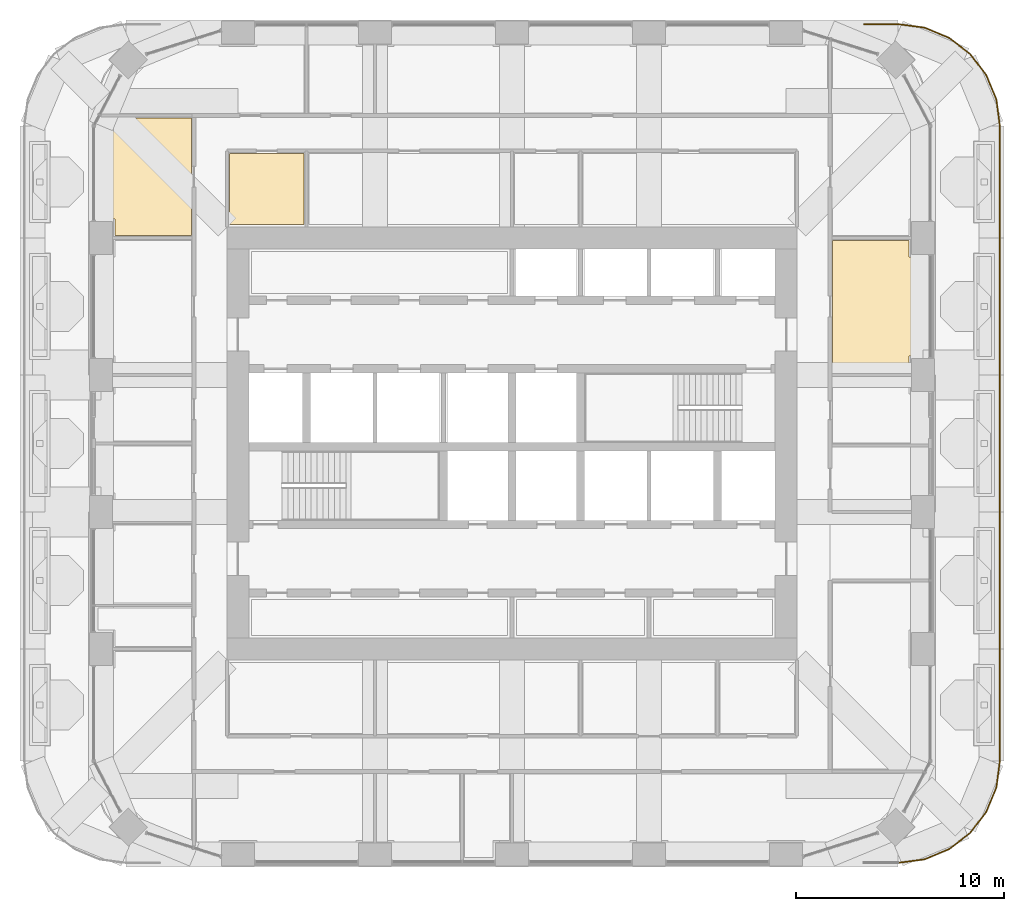
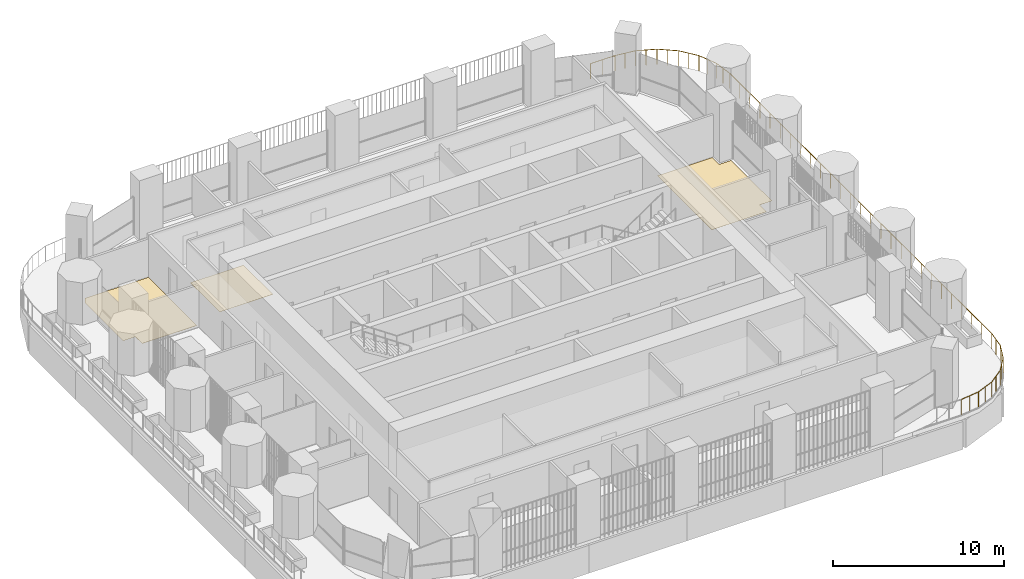
# One storey, part 22 of 24: 3 coverings, 1 railing.
"""IFC4 building model written with IfcOpenShell, lengths in metres."""

import ifcopenshell
import ifcopenshell.guid

model = None  # the IFC model being written
_history = None  # IfcOwnerHistory: only IFC2X3 demands one
_inside = {}  # id of a spatial element -> (the spatial element, [elements in it])
_under = {}  # id of a project, library or spatial element -> (it, [spatial elements below it])
_declared = {}  # id of a project -> (the project, [libraries it declares])
_typed = {}  # id of a type object -> (the type object, [elements of that type])
_made_of = {}  # id of a material, layer set ... -> (it, [elements and type objects made of it])


def new_model(schema):
    """Start an empty IFC model of exactly this schema.

    Asked for "IFC4X3", IfcOpenShell would pick the latest addendum, in which some entities
    have other attributes; the version numbers below select the first issue.
    IFC2X3 requires an IfcOwnerHistory on every rooted entity: one is made here for all.
    """
    global model, _history
    if schema == "IFC4X3":
        model = ifcopenshell.file(schema_version=(4, 3, 0, 0))
    else:
        model = ifcopenshell.file(schema=schema)
    _inside.clear()
    _under.clear()
    _declared.clear()
    _typed.clear()
    _made_of.clear()
    _history = None
    if model.schema == "IFC2X3":
        org = make("IfcOrganization", Name="unknown")
        user = make(
            "IfcPersonAndOrganization",
            ThePerson=make("IfcPerson", FamilyName="unknown"),
            TheOrganization=org,
        )
        app = make(
            "IfcApplication",
            ApplicationDeveloper=org,
            Version="unknown",
            ApplicationFullName="unknown",
            ApplicationIdentifier="unknown",
        )
        _history = make(
            "IfcOwnerHistory",
            OwningUser=user,
            OwningApplication=app,
            ChangeAction="ADDED",
            CreationDate=0,
        )
    return model


def make(cls, **values):
    """One entity of the class cls with the attributes given. An attribute that is None is left unset."""
    return model.create_entity(
        cls, **{name: value for name, value in values.items() if value is not None}
    )


def rooted(cls, **values):
    """An entity with a GlobalId (a new one), such as an element, a storey or a relation."""
    return make(cls, GlobalId=ifcopenshell.guid.new(), OwnerHistory=_history, **values)


def si_unit(unit_type, name, prefix=None):
    """IfcSIUnit, for example si_unit("LENGTHUNIT", "METRE", prefix="MILLI")."""
    return make("IfcSIUnit", UnitType=unit_type, Prefix=prefix, Name=name)


def assignment(units):
    """IfcUnitAssignment: the units of a project."""
    return None if units is None else make("IfcUnitAssignment", Units=units)


def point(xyz):
    """IfcCartesianPoint."""
    return None if xyz is None else make("IfcCartesianPoint", Coordinates=xyz)


def direction(xyz):
    """IfcDirection."""
    return None if xyz is None else make("IfcDirection", DirectionRatios=xyz)


def frame(location, z_axis=None, x_axis=None):
    """IfcAxis2Placement3D, a coordinate frame: its origin and axes. An axis left out is left unset."""
    return make(
        "IfcAxis2Placement3D",
        Location=point(location),
        Axis=direction(z_axis),
        RefDirection=direction(x_axis),
    )


def origin():
    """The frame at (0, 0, 0) with its axes left unset."""
    return frame((0.0, 0.0, 0.0))


def place(relative_to, where):
    """IfcLocalPlacement: puts the frame where relative to a parent placement (None: the world)."""
    return make(
        "IfcLocalPlacement", PlacementRelTo=relative_to, RelativePlacement=where
    )


def context(
    kind, dimensions, precision=None, world=None, true_north=None, identifier=None
):
    """IfcGeometricRepresentationContext, for example the 3D "Model" context."""
    return make(
        "IfcGeometricRepresentationContext",
        ContextIdentifier=identifier,
        ContextType=kind,
        CoordinateSpaceDimension=dimensions,
        Precision=precision,
        WorldCoordinateSystem=world,
        TrueNorth=true_north,
    )


def subcontext(parent, identifier, kind, view, scale=None):
    """IfcGeometricRepresentationSubContext, for example "Body" below "Model"."""
    return make(
        "IfcGeometricRepresentationSubContext",
        ContextIdentifier=identifier,
        ContextType=kind,
        ParentContext=parent,
        TargetScale=scale,
        TargetView=view,
    )


def project(units=None, contexts=None):
    """IfcProject with its units and contexts."""
    return rooted(
        "IfcProject",
        Name="project",
        RepresentationContexts=contexts,
        UnitsInContext=assignment(units),
    )


def spatial(cls, under=None, at=None, **own):
    """A site, building, storey or space (cls), placed at a placement, below another one or the project."""
    s = rooted(cls, ObjectPlacement=at, **own)
    if under is not None:
        _under.setdefault(under.id(), (under, []))[1].append(s)
    return s


def polyline(points):
    """IfcPolyline through the points."""
    return make("IfcPolyline", Points=[point(p) for p in points])


def outline(outer, holes=None, kind="AREA"):
    """IfcArbitraryClosedProfileDef: a profile drawn as a closed curve; with holes, ...WithVoids."""
    if holes is None:
        return make("IfcArbitraryClosedProfileDef", ProfileType=kind, OuterCurve=outer)
    return make(
        "IfcArbitraryProfileDefWithVoids",
        ProfileType=kind,
        OuterCurve=outer,
        InnerCurves=holes,
    )


def extrude(swept, where, along, depth):
    """IfcExtrudedAreaSolid: the profile swept, set in the frame where, extruded along a direction by depth."""
    return make(
        "IfcExtrudedAreaSolid",
        SweptArea=swept,
        Position=where,
        ExtrudedDirection=direction(along),
        Depth=depth,
    )


def shape(context_of_items, identifier, shape_type, items):
    """IfcShapeRepresentation: the items that make up one representation, for example the "Body"."""
    return make(
        "IfcShapeRepresentation",
        ContextOfItems=context_of_items,
        RepresentationIdentifier=identifier,
        RepresentationType=shape_type,
        Items=items,
    )


def material(Name=None, Category=None):
    """IfcMaterial."""
    return make("IfcMaterial", Name=Name, Category=Category)


def layer(
    of_material, thickness, ventilated=None, Name=None, Category=None, Priority=None
):
    """IfcMaterialLayer: one layer of a wall or slab, of a material (None: an air gap)."""
    return make(
        "IfcMaterialLayer",
        Material=of_material,
        LayerThickness=thickness,
        IsVentilated=ventilated,
        Name=Name,
        Category=Category,
        Priority=Priority,
    )


def layer_set(layers, Name=None):
    """IfcMaterialLayerSet."""
    return make("IfcMaterialLayerSet", MaterialLayers=layers, LayerSetName=Name)


def made_of(thing, what):
    """Note that an element or type object is made of a material, layer set ...; save() writes the relation."""
    if what is not None:
        _made_of.setdefault(what.id(), (what, []))[1].append(thing)
    return thing


def type_object(cls, material=None, **own):
    """A type object (cls), such as IfcWallType, which elements share."""
    return made_of(rooted(cls, **own), material)


def element(
    cls,
    number,
    at=None,
    inside=None,
    cuts=None,
    type_object=None,
    material=None,
    context=None,
    identifier="Body",
    shape_type=None,
    held_by="IfcProductDefinitionShape",
    body=None,
    shapes=None,
    **own,
):
    """One element of the class cls, such as IfcWall. Its Tag is "e" and its number.

    at: its placement. inside: the storey or other place that contains it. cuts: it is an
    opening in that element (IfcRelVoidsElement). A single representation is given by context,
    identifier, shape_type and body (its items); several are given by shapes. held_by: the class
    of the entity that holds the representations. save() writes the other relations.
    """
    e = rooted(cls, Tag="e%d" % number, ObjectPlacement=at, **own)
    if body is not None:
        shapes = [shape(context, identifier, shape_type, body)]
    if shapes is not None:
        e.Representation = make(held_by, Representations=shapes)
    if inside is not None:
        _inside.setdefault(inside.id(), (inside, []))[1].append(e)
    if cuts is not None:
        rooted(
            "IfcRelVoidsElement", RelatingBuildingElement=cuts, RelatedOpeningElement=e
        )
    if type_object is not None:
        _typed.setdefault(type_object.id(), (type_object, []))[1].append(e)
    return made_of(e, material)


def aggregate(whole, parts):
    """IfcRelAggregates: a whole, such as a stair, and the parts it consists of."""
    return rooted("IfcRelAggregates", RelatingObject=whole, RelatedObjects=parts)


def save(model, path):
    """Write the relations noted so far, then the file.

    IfcRelAggregates (storeys below a building ...), IfcRelContainedInSpatialStructure (elements
    in a storey), IfcRelDefinesByType, IfcRelAssociatesMaterial and IfcRelDeclares: one each for
    every whole, place, type object, material and project.
    """
    for whole, parts in _under.values():
        aggregate(whole, parts)
    for where, things in _inside.values():
        rooted(
            "IfcRelContainedInSpatialStructure",
            RelatedElements=things,
            RelatingStructure=where,
        )
    for kind, things in _typed.values():
        rooted("IfcRelDefinesByType", RelatedObjects=things, RelatingType=kind)
    for what, things in _made_of.values():
        rooted("IfcRelAssociatesMaterial", RelatedObjects=things, RelatingMaterial=what)
    for by, libraries in _declared.values():
        rooted("IfcRelDeclares", RelatingContext=by, RelatedDefinitions=libraries)
    model.write(path)


model = new_model("IFC4")

# Units and contexts
model_context = context("Model", 3, precision=1e-05, world=origin(), true_north=direction((0.0, 1.0)))
body_context = subcontext(model_context, "Body", "Model", "MODEL_VIEW")
ifc_project = project(units=[si_unit("LENGTHUNIT", "METRE"), si_unit("AREAUNIT", "SQUARE_METRE"), si_unit("VOLUMEUNIT", "CUBIC_METRE"), si_unit("PLANEANGLEUNIT", "RADIAN"), si_unit("MASSUNIT", "GRAM", prefix="KILO")], contexts=[model_context])

# Site, building, storey
site_placement = place(None, origin())
site = spatial("IfcSite", under=ifc_project, at=site_placement, CompositionType="ELEMENT")
building_placement = place(site_placement, origin())
building = spatial("IfcBuilding", under=site, at=building_placement, Name="Cobogo Forest Laboratory Tower", CompositionType="ELEMENT")
storey_placement = place(building_placement, frame((0.0, 0.0, 229.199951171875)))
storey = spatial("IfcBuildingStorey", under=building, at=storey_placement, Name="L52", CompositionType="ELEMENT", Elevation=229.199951171875)

# Railing
ifc_material_1 = material(Name="Laminated glass balustrade", Category="glass")
railing_type = type_object("IfcRailingType", Name="BG1 glass balustrade 1100", PredefinedType="GUARDRAIL", material=ifc_material_1)
railing_placement = place(storey_placement, frame((44.996826171875, 2.89990234375, 0.06005859375)))
element("IfcRailing", 1, at=railing_placement, inside=storey, type_object=railing_type, Name="Terrace balustrade TER-E L52", PredefinedType="GUARDRAIL", context=body_context, shape_type="SweptSolid", body=[
    extrude(outline(polyline([(0.022216796875, 0.00927734375), (0.00927734375, 0.022216796875), (-0.00927734375, 0.022216796875), (-0.022216796875, 0.00927734375), (-0.022216796875, -0.00927734375), (-0.00927734375, -0.022216796875), (0.00927734375, -0.022216796875), (0.022216796875, -0.00927734375), (0.022216796875, 0.00927734375)])), frame((0.0, 0.0, 1.077880859375), z_axis=(0.991432895809, 0.130617047537, 0.0), x_axis=(-0.130617047537, 0.991432895809, 0.0)), (0.0, 0.0, 1.0), 1.2822265625),
    extrude(outline(polyline([(0.022216796875, 0.00927734375), (0.00927734375, 0.022216796875), (-0.00927734375, 0.022216796875), (-0.022216796875, 0.00927734375), (-0.022216796875, -0.00927734375), (-0.00927734375, -0.022216796875), (0.00927734375, -0.022216796875), (0.022216796875, -0.00927734375), (0.022216796875, 0.00927734375)])), frame((1.271240234375, 0.16748046875, 1.077880859375), z_axis=(0.923865605463, 0.382717053503, 0.0), x_axis=(-0.382717053503, 0.923865605463, 0.0)), (0.0, 0.0, 1.0), 1.279052734375),
    extrude(outline(polyline([(0.022216796875, 0.00927734375), (0.00927734375, 0.022216796875), (-0.00927734375, 0.022216796875), (-0.022216796875, 0.00927734375), (-0.022216796875, -0.00927734375), (-0.00927734375, -0.022216796875), (0.00927734375, -0.022216796875), (0.022216796875, -0.00927734375), (0.022216796875, 0.00927734375)])), frame((2.452880859375, 0.656982421875, 1.077880859375), z_axis=(0.793425077956, 0.608667927256, 0.0), x_axis=(-0.608667927256, 0.793425077956, 0.0)), (0.0, 0.0, 1.0), 1.279052734375),
    extrude(outline(polyline([(0.022216796875, 0.00927734375), (0.00927734375, 0.022216796875), (-0.00927734375, 0.022216796875), (-0.022216796875, 0.00927734375), (-0.022216796875, -0.00927734375), (-0.00927734375, -0.022216796875), (0.00927734375, -0.022216796875), (0.022216796875, -0.00927734375), (0.022216796875, 0.00927734375)])), frame((3.4677734375, 1.435546875, 1.077880859375), z_axis=(0.608760111915, 0.793354350931, 0.0), x_axis=(-0.793354350931, 0.608760111915, 0.0)), (0.0, 0.0, 1.0), 1.279052734375),
    extrude(outline(polyline([(0.022216796875, 0.00927734375), (0.00927734375, 0.022216796875), (-0.00927734375, 0.022216796875), (-0.022216796875, 0.00927734375), (-0.022216796875, -0.00927734375), (-0.00927734375, -0.022216796875), (0.00927734375, -0.022216796875), (0.022216796875, -0.00927734375), (0.022216796875, 0.00927734375)])), frame((4.246337890625, 2.4501953125, 1.077880859375), z_axis=(0.382649572731, 0.923893556904, 0.0), x_axis=(-0.923893556904, 0.382649572731, 0.0)), (0.0, 0.0, 1.0), 1.279296875),
    extrude(outline(polyline([(0.022216796875, 0.00927734375), (0.00927734375, 0.022216796875), (-0.00927734375, 0.022216796875), (-0.022216796875, 0.00927734375), (-0.022216796875, -0.00927734375), (-0.00927734375, -0.022216796875), (0.00927734375, -0.022216796875), (0.022216796875, -0.00927734375), (0.022216796875, 0.00927734375)])), frame((4.73583984375, 3.632080078125, 1.077880859375), z_axis=(0.130429885144, 0.991457535682, 0.0), x_axis=(-0.991457535682, 0.130429885144, 0.0)), (0.0, 0.0, 1.0), 1.2822265625),
    extrude(outline(polyline([(0.022216796875, 0.00927734375), (0.00927734375, 0.022216796875), (-0.00927734375, 0.022216796875), (-0.022216796875, 0.00927734375), (-0.022216796875, -0.00927734375), (-0.00927734375, -0.022216796875), (0.00927734375, -0.022216796875), (0.022216796875, -0.00927734375), (0.022216796875, 0.00927734375)])), frame((4.903076171875, 4.9033203125, 1.077880859375), z_axis=(0.0, 1.0, 0.0), x_axis=(-1.0, 0.0, 0.0)), (0.0, 0.0, 1.0), 30.593505859375),
    extrude(outline(polyline([(0.022216796875, 0.00927734375), (0.00927734375, 0.022216796875), (-0.00927734375, 0.022216796875), (-0.022216796875, 0.00927734375), (-0.022216796875, -0.00927734375), (-0.00927734375, -0.022216796875), (0.00927734375, -0.022216796875), (0.022216796875, -0.00927734375), (0.022216796875, 0.00927734375)])), frame((4.903076171875, 35.496826171875, 1.077880859375), z_axis=(-0.130405266932, 0.991460773988, 0.0), x_axis=(-0.991460773988, -0.130405266932, 0.0)), (0.0, 0.0, 1.0), 1.282470703125),
    extrude(outline(polyline([(0.022216796875, 0.00927734375), (0.00927734375, 0.022216796875), (-0.00927734375, 0.022216796875), (-0.022216796875, 0.00927734375), (-0.022216796875, -0.00927734375), (-0.00927734375, -0.022216796875), (0.00927734375, -0.022216796875), (0.022216796875, -0.00927734375), (0.022216796875, 0.00927734375)])), frame((4.73583984375, 36.768310546875, 1.077880859375), z_axis=(-0.382717053503, 0.923865605463, 0.0), x_axis=(-0.923865605463, -0.382717053503, 0.0)), (0.0, 0.0, 1.0), 1.279052734375),
    extrude(outline(polyline([(0.022216796875, 0.00927734375), (0.00927734375, 0.022216796875), (-0.00927734375, 0.022216796875), (-0.022216796875, 0.00927734375), (-0.022216796875, -0.00927734375), (-0.00927734375, -0.022216796875), (0.00927734375, -0.022216796875), (0.022216796875, -0.00927734375), (0.022216796875, 0.00927734375)])), frame((4.246337890625, 37.949951171875, 1.077880859375), z_axis=(-0.608760111915, 0.793354350931, 0.0), x_axis=(-0.793354350931, -0.608760111915, 0.0)), (0.0, 0.0, 1.0), 1.279052734375),
    extrude(outline(polyline([(0.022216796875, 0.00927734375), (0.00927734375, 0.022216796875), (-0.00927734375, 0.022216796875), (-0.022216796875, 0.00927734375), (-0.022216796875, -0.00927734375), (-0.00927734375, -0.022216796875), (0.00927734375, -0.022216796875), (0.022216796875, -0.00927734375), (0.022216796875, 0.00927734375)])), frame((3.4677734375, 38.964599609375, 1.077880859375), z_axis=(-0.793425077956, 0.608667927256, 0.0), x_axis=(-0.608667927256, -0.793425077956, 0.0)), (0.0, 0.0, 1.0), 1.279052734375),
    extrude(outline(polyline([(0.022216796875, 0.00927734375), (0.00927734375, 0.022216796875), (-0.00927734375, 0.022216796875), (-0.022216796875, 0.00927734375), (-0.022216796875, -0.00927734375), (-0.00927734375, -0.022216796875), (0.00927734375, -0.022216796875), (0.022216796875, -0.00927734375), (0.022216796875, 0.00927734375)])), frame((2.452880859375, 39.7431640625, 1.077880859375), z_axis=(-0.923865605463, 0.382717053503, 0.0), x_axis=(-0.382717053503, -0.923865605463, 0.0)), (0.0, 0.0, 1.0), 1.279052734375),
    extrude(outline(polyline([(0.022216796875, 0.00927734375), (0.00927734375, 0.022216796875), (-0.00927734375, 0.022216796875), (-0.022216796875, 0.00927734375), (-0.022216796875, -0.00927734375), (-0.00927734375, -0.022216796875), (0.00927734375, -0.022216796875), (0.022216796875, -0.00927734375), (0.022216796875, 0.00927734375)])), frame((1.271240234375, 40.232666015625, 1.077880859375), z_axis=(-0.991432895809, 0.130617047537, 0.0), x_axis=(-0.130617047537, -0.991432895809, 0.0)), (0.0, 0.0, 1.0), 1.2822265625),
    extrude(outline(polyline([(0.022216796875, 0.00927734375), (0.00927734375, 0.022216796875), (-0.00927734375, 0.022216796875), (-0.022216796875, 0.00927734375), (-0.022216796875, -0.00927734375), (-0.00927734375, -0.022216796875), (0.00927734375, -0.022216796875), (0.022216796875, -0.00927734375), (0.022216796875, 0.00927734375)])), frame((0.0, 40.400146484375, 1.077880859375), z_axis=(-1.0, 0.0, 0.0), x_axis=(0.0, -1.0, 0.0)), (0.0, 0.0, 1.0), 1.638916015625),
    extrude(outline(polyline([(0.019287109375, 0.008056640625), (0.008056640625, 0.019287109375), (-0.008056640625, 0.019287109375), (-0.019287109375, 0.008056640625), (-0.019287109375, -0.008056640625), (-0.008056640625, -0.019287109375), (0.008056640625, -0.019287109375), (0.019287109375, -0.008056640625), (0.019287109375, 0.008056640625)])), origin(), (0.0, 0.0, 1.0), 1.077880859375),
    extrude(outline(polyline([(0.019287109375, 0.008056640625), (0.008056640625, 0.019287109375), (-0.008056640625, 0.019287109375), (-0.019287109375, 0.008056640625), (-0.019287109375, -0.008056640625), (-0.008056640625, -0.019287109375), (0.008056640625, -0.019287109375), (0.019287109375, -0.008056640625), (0.019287109375, 0.008056640625)])), frame((0.6357421875, 0.083740234375, 0.0)), (0.0, 0.0, 1.0), 1.077880859375),
    extrude(outline(polyline([(0.019287109375, 0.008056640625), (0.008056640625, 0.019287109375), (-0.008056640625, 0.019287109375), (-0.019287109375, 0.008056640625), (-0.019287109375, -0.008056640625), (-0.008056640625, -0.019287109375), (0.008056640625, -0.019287109375), (0.019287109375, -0.008056640625), (0.019287109375, 0.008056640625)])), frame((1.271240234375, 0.16748046875, 0.0)), (0.0, 0.0, 1.0), 1.077880859375),
    extrude(outline(polyline([(0.019287109375, 0.008056640625), (0.008056640625, 0.019287109375), (-0.008056640625, 0.019287109375), (-0.019287109375, 0.008056640625), (-0.019287109375, -0.008056640625), (-0.008056640625, -0.019287109375), (0.008056640625, -0.019287109375), (0.019287109375, -0.008056640625), (0.019287109375, 0.008056640625)])), frame((1.862060546875, 0.412109375, 0.0)), (0.0, 0.0, 1.0), 1.077880859375),
    extrude(outline(polyline([(0.019287109375, 0.008056640625), (0.008056640625, 0.019287109375), (-0.008056640625, 0.019287109375), (-0.019287109375, 0.008056640625), (-0.019287109375, -0.008056640625), (-0.008056640625, -0.019287109375), (0.008056640625, -0.019287109375), (0.019287109375, -0.008056640625), (0.019287109375, 0.008056640625)])), frame((2.452880859375, 0.656982421875, 0.0)), (0.0, 0.0, 1.0), 1.077880859375),
    extrude(outline(polyline([(0.019287109375, 0.008056640625), (0.008056640625, 0.019287109375), (-0.008056640625, 0.019287109375), (-0.019287109375, 0.008056640625), (-0.019287109375, -0.008056640625), (-0.008056640625, -0.019287109375), (0.008056640625, -0.019287109375), (0.019287109375, -0.008056640625), (0.019287109375, 0.008056640625)])), frame((2.96044921875, 1.04638671875, 0.0)), (0.0, 0.0, 1.0), 1.077880859375),
    extrude(outline(polyline([(0.019287109375, 0.008056640625), (0.008056640625, 0.019287109375), (-0.008056640625, 0.019287109375), (-0.019287109375, 0.008056640625), (-0.019287109375, -0.008056640625), (-0.008056640625, -0.019287109375), (0.008056640625, -0.019287109375), (0.019287109375, -0.008056640625), (0.019287109375, 0.008056640625)])), frame((3.4677734375, 1.435546875, 0.0)), (0.0, 0.0, 1.0), 1.077880859375),
    extrude(outline(polyline([(0.019287109375, 0.008056640625), (0.008056640625, 0.019287109375), (-0.008056640625, 0.019287109375), (-0.019287109375, 0.008056640625), (-0.019287109375, -0.008056640625), (-0.008056640625, -0.019287109375), (0.008056640625, -0.019287109375), (0.019287109375, -0.008056640625), (0.019287109375, 0.008056640625)])), frame((3.85693359375, 1.94287109375, 0.0)), (0.0, 0.0, 1.0), 1.077880859375),
    extrude(outline(polyline([(0.019287109375, 0.008056640625), (0.008056640625, 0.019287109375), (-0.008056640625, 0.019287109375), (-0.019287109375, 0.008056640625), (-0.019287109375, -0.008056640625), (-0.008056640625, -0.019287109375), (0.008056640625, -0.019287109375), (0.019287109375, -0.008056640625), (0.019287109375, 0.008056640625)])), frame((4.246337890625, 2.4501953125, 0.0)), (0.0, 0.0, 1.0), 1.077880859375),
    extrude(outline(polyline([(0.019287109375, 0.008056640625), (0.008056640625, 0.019287109375), (-0.008056640625, 0.019287109375), (-0.019287109375, 0.008056640625), (-0.019287109375, -0.008056640625), (-0.008056640625, -0.019287109375), (0.008056640625, -0.019287109375), (0.019287109375, -0.008056640625), (0.019287109375, 0.008056640625)])), frame((4.4912109375, 3.041015625, 0.0)), (0.0, 0.0, 1.0), 1.077880859375),
    extrude(outline(polyline([(0.019287109375, 0.008056640625), (0.008056640625, 0.019287109375), (-0.008056640625, 0.019287109375), (-0.019287109375, 0.008056640625), (-0.019287109375, -0.008056640625), (-0.008056640625, -0.019287109375), (0.008056640625, -0.019287109375), (0.019287109375, -0.008056640625), (0.019287109375, 0.008056640625)])), frame((4.73583984375, 3.632080078125, 0.0)), (0.0, 0.0, 1.0), 1.077880859375),
    extrude(outline(polyline([(0.019287109375, 0.008056640625), (0.008056640625, 0.019287109375), (-0.008056640625, 0.019287109375), (-0.019287109375, 0.008056640625), (-0.019287109375, -0.008056640625), (-0.008056640625, -0.019287109375), (0.008056640625, -0.019287109375), (0.019287109375, -0.008056640625), (0.019287109375, 0.008056640625)])), frame((4.8193359375, 4.267578125, 0.0)), (0.0, 0.0, 1.0), 1.077880859375),
    extrude(outline(polyline([(0.019287109375, 0.008056640625), (0.008056640625, 0.019287109375), (-0.008056640625, 0.019287109375), (-0.019287109375, 0.008056640625), (-0.019287109375, -0.008056640625), (-0.008056640625, -0.019287109375), (0.008056640625, -0.019287109375), (0.019287109375, -0.008056640625), (0.019287109375, 0.008056640625)])), frame((4.903076171875, 4.9033203125, 0.0)), (0.0, 0.0, 1.0), 1.077880859375),
    extrude(outline(polyline([(0.019287109375, 0.008056640625), (0.008056640625, 0.019287109375), (-0.008056640625, 0.019287109375), (-0.019287109375, 0.008056640625), (-0.019287109375, -0.008056640625), (-0.008056640625, -0.019287109375), (0.008056640625, -0.019287109375), (0.019287109375, -0.008056640625), (0.019287109375, 0.008056640625)])), frame((4.903076171875, 6.080078125, 0.0)), (0.0, 0.0, 1.0), 1.077880859375),
    extrude(outline(polyline([(0.019287109375, 0.008056640625), (0.008056640625, 0.019287109375), (-0.008056640625, 0.019287109375), (-0.019287109375, 0.008056640625), (-0.019287109375, -0.008056640625), (-0.008056640625, -0.019287109375), (0.008056640625, -0.019287109375), (0.019287109375, -0.008056640625), (0.019287109375, 0.008056640625)])), frame((4.903076171875, 7.256591796875, 0.0)), (0.0, 0.0, 1.0), 1.077880859375),
    extrude(outline(polyline([(0.019287109375, 0.008056640625), (0.008056640625, 0.019287109375), (-0.008056640625, 0.019287109375), (-0.019287109375, 0.008056640625), (-0.019287109375, -0.008056640625), (-0.008056640625, -0.019287109375), (0.008056640625, -0.019287109375), (0.019287109375, -0.008056640625), (0.019287109375, 0.008056640625)])), frame((4.903076171875, 8.433349609375, 0.0)), (0.0, 0.0, 1.0), 1.077880859375),
    extrude(outline(polyline([(0.019287109375, 0.008056640625), (0.008056640625, 0.019287109375), (-0.008056640625, 0.019287109375), (-0.019287109375, 0.008056640625), (-0.019287109375, -0.008056640625), (-0.008056640625, -0.019287109375), (0.008056640625, -0.019287109375), (0.019287109375, -0.008056640625), (0.019287109375, 0.008056640625)])), frame((4.903076171875, 9.610107421875, 0.0)), (0.0, 0.0, 1.0), 1.077880859375),
    extrude(outline(polyline([(0.019287109375, 0.008056640625), (0.008056640625, 0.019287109375), (-0.008056640625, 0.019287109375), (-0.019287109375, 0.008056640625), (-0.019287109375, -0.008056640625), (-0.008056640625, -0.019287109375), (0.008056640625, -0.019287109375), (0.019287109375, -0.008056640625), (0.019287109375, 0.008056640625)])), frame((4.903076171875, 10.78662109375, 0.0)), (0.0, 0.0, 1.0), 1.077880859375),
    extrude(outline(polyline([(0.019287109375, 0.008056640625), (0.008056640625, 0.019287109375), (-0.008056640625, 0.019287109375), (-0.019287109375, 0.008056640625), (-0.019287109375, -0.008056640625), (-0.008056640625, -0.019287109375), (0.008056640625, -0.019287109375), (0.019287109375, -0.008056640625), (0.019287109375, 0.008056640625)])), frame((4.903076171875, 11.96337890625, 0.0)), (0.0, 0.0, 1.0), 1.077880859375),
    extrude(outline(polyline([(0.019287109375, 0.008056640625), (0.008056640625, 0.019287109375), (-0.008056640625, 0.019287109375), (-0.019287109375, 0.008056640625), (-0.019287109375, -0.008056640625), (-0.008056640625, -0.019287109375), (0.008056640625, -0.019287109375), (0.019287109375, -0.008056640625), (0.019287109375, 0.008056640625)])), frame((4.903076171875, 13.14013671875, 0.0)), (0.0, 0.0, 1.0), 1.077880859375),
    extrude(outline(polyline([(0.019287109375, 0.008056640625), (0.008056640625, 0.019287109375), (-0.008056640625, 0.019287109375), (-0.019287109375, 0.008056640625), (-0.019287109375, -0.008056640625), (-0.008056640625, -0.019287109375), (0.008056640625, -0.019287109375), (0.019287109375, -0.008056640625), (0.019287109375, 0.008056640625)])), frame((4.903076171875, 14.316650390625, 0.0)), (0.0, 0.0, 1.0), 1.077880859375),
    extrude(outline(polyline([(0.019287109375, 0.008056640625), (0.008056640625, 0.019287109375), (-0.008056640625, 0.019287109375), (-0.019287109375, 0.008056640625), (-0.019287109375, -0.008056640625), (-0.008056640625, -0.019287109375), (0.008056640625, -0.019287109375), (0.019287109375, -0.008056640625), (0.019287109375, 0.008056640625)])), frame((4.903076171875, 15.493408203125, 0.0)), (0.0, 0.0, 1.0), 1.077880859375),
    extrude(outline(polyline([(0.019287109375, 0.008056640625), (0.008056640625, 0.019287109375), (-0.008056640625, 0.019287109375), (-0.019287109375, 0.008056640625), (-0.019287109375, -0.008056640625), (-0.008056640625, -0.019287109375), (0.008056640625, -0.019287109375), (0.019287109375, -0.008056640625), (0.019287109375, 0.008056640625)])), frame((4.903076171875, 16.670166015625, 0.0)), (0.0, 0.0, 1.0), 1.077880859375),
    extrude(outline(polyline([(0.019287109375, 0.008056640625), (0.008056640625, 0.019287109375), (-0.008056640625, 0.019287109375), (-0.019287109375, 0.008056640625), (-0.019287109375, -0.008056640625), (-0.008056640625, -0.019287109375), (0.008056640625, -0.019287109375), (0.019287109375, -0.008056640625), (0.019287109375, 0.008056640625)])), frame((4.903076171875, 17.8466796875, 0.0)), (0.0, 0.0, 1.0), 1.077880859375),
    extrude(outline(polyline([(0.019287109375, 0.008056640625), (0.008056640625, 0.019287109375), (-0.008056640625, 0.019287109375), (-0.019287109375, 0.008056640625), (-0.019287109375, -0.008056640625), (-0.008056640625, -0.019287109375), (0.008056640625, -0.019287109375), (0.019287109375, -0.008056640625), (0.019287109375, 0.008056640625)])), frame((4.903076171875, 19.0234375, 0.0)), (0.0, 0.0, 1.0), 1.077880859375),
    extrude(outline(polyline([(0.019287109375, 0.008056640625), (0.008056640625, 0.019287109375), (-0.008056640625, 0.019287109375), (-0.019287109375, 0.008056640625), (-0.019287109375, -0.008056640625), (-0.008056640625, -0.019287109375), (0.008056640625, -0.019287109375), (0.019287109375, -0.008056640625), (0.019287109375, 0.008056640625)])), frame((4.903076171875, 20.2001953125, 0.0)), (0.0, 0.0, 1.0), 1.077880859375),
    extrude(outline(polyline([(0.019287109375, 0.008056640625), (0.008056640625, 0.019287109375), (-0.008056640625, 0.019287109375), (-0.019287109375, 0.008056640625), (-0.019287109375, -0.008056640625), (-0.008056640625, -0.019287109375), (0.008056640625, -0.019287109375), (0.019287109375, -0.008056640625), (0.019287109375, 0.008056640625)])), frame((4.903076171875, 21.376708984375, 0.0)), (0.0, 0.0, 1.0), 1.077880859375),
    extrude(outline(polyline([(0.019287109375, 0.008056640625), (0.008056640625, 0.019287109375), (-0.008056640625, 0.019287109375), (-0.019287109375, 0.008056640625), (-0.019287109375, -0.008056640625), (-0.008056640625, -0.019287109375), (0.008056640625, -0.019287109375), (0.019287109375, -0.008056640625), (0.019287109375, 0.008056640625)])), frame((4.903076171875, 22.553466796875, 0.0)), (0.0, 0.0, 1.0), 1.077880859375),
    extrude(outline(polyline([(0.019287109375, 0.008056640625), (0.008056640625, 0.019287109375), (-0.008056640625, 0.019287109375), (-0.019287109375, 0.008056640625), (-0.019287109375, -0.008056640625), (-0.008056640625, -0.019287109375), (0.008056640625, -0.019287109375), (0.019287109375, -0.008056640625), (0.019287109375, 0.008056640625)])), frame((4.903076171875, 23.72998046875, 0.0)), (0.0, 0.0, 1.0), 1.077880859375),
    extrude(outline(polyline([(0.019287109375, 0.008056640625), (0.008056640625, 0.019287109375), (-0.008056640625, 0.019287109375), (-0.019287109375, 0.008056640625), (-0.019287109375, -0.008056640625), (-0.008056640625, -0.019287109375), (0.008056640625, -0.019287109375), (0.019287109375, -0.008056640625), (0.019287109375, 0.008056640625)])), frame((4.903076171875, 24.90673828125, 0.0)), (0.0, 0.0, 1.0), 1.077880859375),
    extrude(outline(polyline([(0.019287109375, 0.008056640625), (0.008056640625, 0.019287109375), (-0.008056640625, 0.019287109375), (-0.019287109375, 0.008056640625), (-0.019287109375, -0.008056640625), (-0.008056640625, -0.019287109375), (0.008056640625, -0.019287109375), (0.019287109375, -0.008056640625), (0.019287109375, 0.008056640625)])), frame((4.903076171875, 26.08349609375, 0.0)), (0.0, 0.0, 1.0), 1.077880859375),
    extrude(outline(polyline([(0.019287109375, 0.008056640625), (0.008056640625, 0.019287109375), (-0.008056640625, 0.019287109375), (-0.019287109375, 0.008056640625), (-0.019287109375, -0.008056640625), (-0.008056640625, -0.019287109375), (0.008056640625, -0.019287109375), (0.019287109375, -0.008056640625), (0.019287109375, 0.008056640625)])), frame((4.903076171875, 27.260009765625, 0.0)), (0.0, 0.0, 1.0), 1.077880859375),
    extrude(outline(polyline([(0.019287109375, 0.008056640625), (0.008056640625, 0.019287109375), (-0.008056640625, 0.019287109375), (-0.019287109375, 0.008056640625), (-0.019287109375, -0.008056640625), (-0.008056640625, -0.019287109375), (0.008056640625, -0.019287109375), (0.019287109375, -0.008056640625), (0.019287109375, 0.008056640625)])), frame((4.903076171875, 28.436767578125, 0.0)), (0.0, 0.0, 1.0), 1.077880859375),
    extrude(outline(polyline([(0.019287109375, 0.008056640625), (0.008056640625, 0.019287109375), (-0.008056640625, 0.019287109375), (-0.019287109375, 0.008056640625), (-0.019287109375, -0.008056640625), (-0.008056640625, -0.019287109375), (0.008056640625, -0.019287109375), (0.019287109375, -0.008056640625), (0.019287109375, 0.008056640625)])), frame((4.903076171875, 29.613525390625, 0.0)), (0.0, 0.0, 1.0), 1.077880859375),
    extrude(outline(polyline([(0.019287109375, 0.008056640625), (0.008056640625, 0.019287109375), (-0.008056640625, 0.019287109375), (-0.019287109375, 0.008056640625), (-0.019287109375, -0.008056640625), (-0.008056640625, -0.019287109375), (0.008056640625, -0.019287109375), (0.019287109375, -0.008056640625), (0.019287109375, 0.008056640625)])), frame((4.903076171875, 30.7900390625, 0.0)), (0.0, 0.0, 1.0), 1.077880859375),
    extrude(outline(polyline([(0.019287109375, 0.008056640625), (0.008056640625, 0.019287109375), (-0.008056640625, 0.019287109375), (-0.019287109375, 0.008056640625), (-0.019287109375, -0.008056640625), (-0.008056640625, -0.019287109375), (0.008056640625, -0.019287109375), (0.019287109375, -0.008056640625), (0.019287109375, 0.008056640625)])), frame((4.903076171875, 31.966796875, 0.0)), (0.0, 0.0, 1.0), 1.077880859375),
    extrude(outline(polyline([(0.019287109375, 0.008056640625), (0.008056640625, 0.019287109375), (-0.008056640625, 0.019287109375), (-0.019287109375, 0.008056640625), (-0.019287109375, -0.008056640625), (-0.008056640625, -0.019287109375), (0.008056640625, -0.019287109375), (0.019287109375, -0.008056640625), (0.019287109375, 0.008056640625)])), frame((4.903076171875, 33.1435546875, 0.0)), (0.0, 0.0, 1.0), 1.077880859375),
    extrude(outline(polyline([(0.019287109375, 0.008056640625), (0.008056640625, 0.019287109375), (-0.008056640625, 0.019287109375), (-0.019287109375, 0.008056640625), (-0.019287109375, -0.008056640625), (-0.008056640625, -0.019287109375), (0.008056640625, -0.019287109375), (0.019287109375, -0.008056640625), (0.019287109375, 0.008056640625)])), frame((4.903076171875, 34.320068359375, 0.0)), (0.0, 0.0, 1.0), 1.077880859375),
    extrude(outline(polyline([(0.019287109375, 0.008056640625), (0.008056640625, 0.019287109375), (-0.008056640625, 0.019287109375), (-0.019287109375, 0.008056640625), (-0.019287109375, -0.008056640625), (-0.008056640625, -0.019287109375), (0.008056640625, -0.019287109375), (0.019287109375, -0.008056640625), (0.019287109375, 0.008056640625)])), frame((4.903076171875, 35.496826171875, 0.0)), (0.0, 0.0, 1.0), 1.077880859375),
    extrude(outline(polyline([(0.019287109375, 0.008056640625), (0.008056640625, 0.019287109375), (-0.008056640625, 0.019287109375), (-0.019287109375, 0.008056640625), (-0.019287109375, -0.008056640625), (-0.008056640625, -0.019287109375), (0.008056640625, -0.019287109375), (0.019287109375, -0.008056640625), (0.019287109375, 0.008056640625)])), frame((4.8193359375, 36.132568359375, 0.0)), (0.0, 0.0, 1.0), 1.077880859375),
    extrude(outline(polyline([(0.019287109375, 0.008056640625), (0.008056640625, 0.019287109375), (-0.008056640625, 0.019287109375), (-0.019287109375, 0.008056640625), (-0.019287109375, -0.008056640625), (-0.008056640625, -0.019287109375), (0.008056640625, -0.019287109375), (0.019287109375, -0.008056640625), (0.019287109375, 0.008056640625)])), frame((4.73583984375, 36.768310546875, 0.0)), (0.0, 0.0, 1.0), 1.077880859375),
    extrude(outline(polyline([(0.019287109375, 0.008056640625), (0.008056640625, 0.019287109375), (-0.008056640625, 0.019287109375), (-0.019287109375, 0.008056640625), (-0.019287109375, -0.008056640625), (-0.008056640625, -0.019287109375), (0.008056640625, -0.019287109375), (0.019287109375, -0.008056640625), (0.019287109375, 0.008056640625)])), frame((4.4912109375, 37.359130859375, 0.0)), (0.0, 0.0, 1.0), 1.077880859375),
    extrude(outline(polyline([(0.019287109375, 0.008056640625), (0.008056640625, 0.019287109375), (-0.008056640625, 0.019287109375), (-0.019287109375, 0.008056640625), (-0.019287109375, -0.008056640625), (-0.008056640625, -0.019287109375), (0.008056640625, -0.019287109375), (0.019287109375, -0.008056640625), (0.019287109375, 0.008056640625)])), frame((4.246337890625, 37.949951171875, 0.0)), (0.0, 0.0, 1.0), 1.077880859375),
    extrude(outline(polyline([(0.019287109375, 0.008056640625), (0.008056640625, 0.019287109375), (-0.008056640625, 0.019287109375), (-0.019287109375, 0.008056640625), (-0.019287109375, -0.008056640625), (-0.008056640625, -0.019287109375), (0.008056640625, -0.019287109375), (0.019287109375, -0.008056640625), (0.019287109375, 0.008056640625)])), frame((3.85693359375, 38.457275390625, 0.0)), (0.0, 0.0, 1.0), 1.077880859375),
    extrude(outline(polyline([(0.019287109375, 0.008056640625), (0.008056640625, 0.019287109375), (-0.008056640625, 0.019287109375), (-0.019287109375, 0.008056640625), (-0.019287109375, -0.008056640625), (-0.008056640625, -0.019287109375), (0.008056640625, -0.019287109375), (0.019287109375, -0.008056640625), (0.019287109375, 0.008056640625)])), frame((3.4677734375, 38.964599609375, 0.0)), (0.0, 0.0, 1.0), 1.077880859375),
    extrude(outline(polyline([(0.019287109375, 0.008056640625), (0.008056640625, 0.019287109375), (-0.008056640625, 0.019287109375), (-0.019287109375, 0.008056640625), (-0.019287109375, -0.008056640625), (-0.008056640625, -0.019287109375), (0.008056640625, -0.019287109375), (0.019287109375, -0.008056640625), (0.019287109375, 0.008056640625)])), frame((2.96044921875, 39.35400390625, 0.0)), (0.0, 0.0, 1.0), 1.077880859375),
    extrude(outline(polyline([(0.019287109375, 0.008056640625), (0.008056640625, 0.019287109375), (-0.008056640625, 0.019287109375), (-0.019287109375, 0.008056640625), (-0.019287109375, -0.008056640625), (-0.008056640625, -0.019287109375), (0.008056640625, -0.019287109375), (0.019287109375, -0.008056640625), (0.019287109375, 0.008056640625)])), frame((2.452880859375, 39.7431640625, 0.0)), (0.0, 0.0, 1.0), 1.077880859375),
    extrude(outline(polyline([(0.019287109375, 0.008056640625), (0.008056640625, 0.019287109375), (-0.008056640625, 0.019287109375), (-0.019287109375, 0.008056640625), (-0.019287109375, -0.008056640625), (-0.008056640625, -0.019287109375), (0.008056640625, -0.019287109375), (0.019287109375, -0.008056640625), (0.019287109375, 0.008056640625)])), frame((1.862060546875, 39.98779296875, 0.0)), (0.0, 0.0, 1.0), 1.077880859375),
    extrude(outline(polyline([(0.019287109375, 0.008056640625), (0.008056640625, 0.019287109375), (-0.008056640625, 0.019287109375), (-0.019287109375, 0.008056640625), (-0.019287109375, -0.008056640625), (-0.008056640625, -0.019287109375), (0.008056640625, -0.019287109375), (0.019287109375, -0.008056640625), (0.019287109375, 0.008056640625)])), frame((1.271240234375, 40.232666015625, 0.0)), (0.0, 0.0, 1.0), 1.077880859375),
    extrude(outline(polyline([(0.019287109375, 0.008056640625), (0.008056640625, 0.019287109375), (-0.008056640625, 0.019287109375), (-0.019287109375, 0.008056640625), (-0.019287109375, -0.008056640625), (-0.008056640625, -0.019287109375), (0.008056640625, -0.019287109375), (0.019287109375, -0.008056640625), (0.019287109375, 0.008056640625)])), frame((0.6357421875, 40.31640625, 0.0)), (0.0, 0.0, 1.0), 1.077880859375),
    extrude(outline(polyline([(0.019287109375, 0.008056640625), (0.008056640625, 0.019287109375), (-0.008056640625, 0.019287109375), (-0.019287109375, 0.008056640625), (-0.019287109375, -0.008056640625), (-0.008056640625, -0.019287109375), (0.008056640625, -0.019287109375), (0.019287109375, -0.008056640625), (0.019287109375, 0.008056640625)])), frame((0.0, 40.400146484375, 0.0)), (0.0, 0.0, 1.0), 1.077880859375),
    extrude(outline(polyline([(0.019287109375, 0.008056640625), (0.008056640625, 0.019287109375), (-0.008056640625, 0.019287109375), (-0.019287109375, 0.008056640625), (-0.019287109375, -0.008056640625), (-0.008056640625, -0.019287109375), (0.008056640625, -0.019287109375), (0.019287109375, -0.008056640625), (0.019287109375, 0.008056640625)])), frame((-0.8193359375, 40.400146484375, 0.0)), (0.0, 0.0, 1.0), 1.077880859375),
    extrude(outline(polyline([(0.019287109375, 0.008056640625), (0.008056640625, 0.019287109375), (-0.008056640625, 0.019287109375), (-0.019287109375, 0.008056640625), (-0.019287109375, -0.008056640625), (-0.008056640625, -0.019287109375), (0.008056640625, -0.019287109375), (0.019287109375, -0.008056640625), (0.019287109375, 0.008056640625)])), frame((-1.638916015625, 40.400146484375, 0.0)), (0.0, 0.0, 1.0), 1.077880859375),
])

# Coverings
ifc_material_2 = material(Name="Carpet tile on raised access floor", Category="flooring")
ifc_layer = layer(ifc_material_2, 0.008056640625)
ifc_layer_set = layer_set([ifc_layer], Name="CT1 carpet tile floor 8")
covering_type = type_object("IfcCoveringType", Name="CT1 carpet tile floor 8", PredefinedType="FLOORING", material=ifc_layer_set)
covering_1_placement = place(storey_placement, origin())
element("IfcCovering", 2, at=covering_1_placement, inside=storey, type_object=covering_type, Name="Carpet floor L52-01", PredefinedType="FLOORING", context=body_context, shape_type="SweptSolid", body=[
    extrude(outline(polyline([(16.3798828125, 33.64501953125), (12.794921875, 33.64501953125), (12.794921875, 37.080078125), (16.3798828125, 37.080078125), (16.3798828125, 33.64501953125)])), origin(), (0.0, 0.0, 1.0), 0.008056640625),
])
covering_2_placement = place(storey_placement, origin())
element("IfcCovering", 3, at=covering_2_placement, inside=storey, type_object=covering_type, Name="Carpet floor L52-16", PredefinedType="FLOORING", context=body_context, shape_type="SweptSolid", body=[
    extrude(outline(polyline([(41.844970703125, 32.8798828125), (45.530029296875, 32.8798828125), (45.530029296875, 32.080078125), (46.35009765625, 32.080078125), (46.35009765625, 27.320068359375), (45.530029296875, 27.320068359375), (45.530029296875, 26.52001953125), (41.844970703125, 26.52001953125), (41.844970703125, 32.8798828125)])), origin(), (0.0, 0.0, 1.0), 0.008056640625),
])
covering_3_placement = place(storey_placement, origin())
element("IfcCovering", 4, at=covering_3_placement, inside=storey, type_object=covering_type, Name="Carpet floor L52-27", PredefinedType="FLOORING", context=body_context, shape_type="SweptSolid", body=[
    extrude(outline(polyline([(10.955078125, 33.1201171875), (7.27001953125, 33.1201171875), (7.27001953125, 33.919921875), (6.449951171875, 33.919921875), (6.449951171875, 38.350830078125), (6.675048828125, 38.780029296875), (10.955078125, 38.780029296875), (10.955078125, 33.1201171875)])), origin(), (0.0, 0.0, 1.0), 0.008056640625),
])

save(model, "model.ifc")
